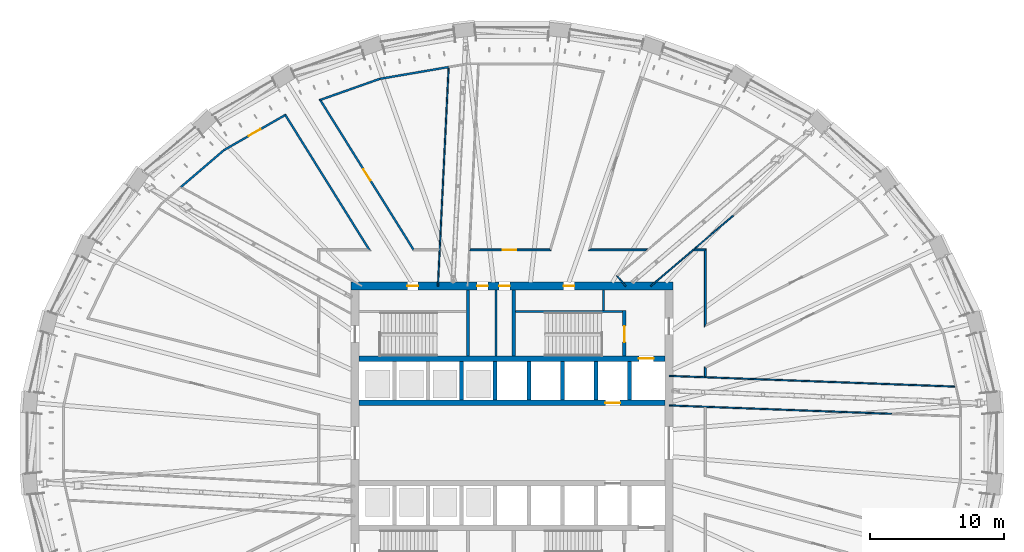
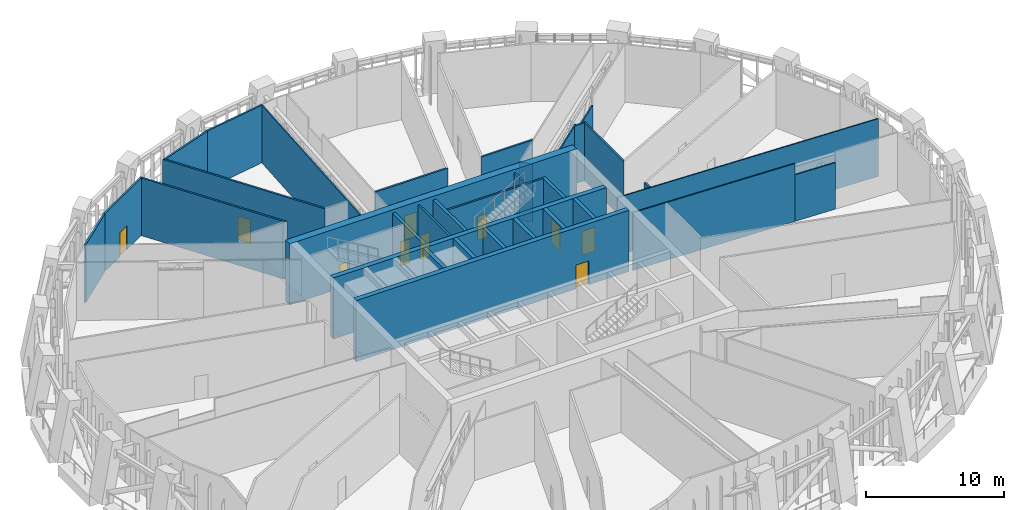
# One storey, part 10 of 22: 33 walls, 10 doors, 10 openings.
"""IFC4 building model written with IfcOpenShell, lengths in metres."""

from ifc_helpers import new_model, si_unit, direction, frame, frame_2d, origin, place, context, subcontext, project, spatial, polyline, rectangle, outline, extrude, material, layer, layer_set, type_object, element, fill, save


model = new_model("IFC4")

# Units and contexts
model_context = context("Model", 3, precision=1e-05, world=origin(), true_north=direction((0.0, 1.0)))
body_context = subcontext(model_context, "Body", "Model", "MODEL_VIEW")
ifc_project = project(units=[si_unit("LENGTHUNIT", "METRE"), si_unit("AREAUNIT", "SQUARE_METRE"), si_unit("VOLUMEUNIT", "CUBIC_METRE"), si_unit("PLANEANGLEUNIT", "RADIAN"), si_unit("MASSUNIT", "GRAM", prefix="KILO")], contexts=[model_context])

# Site, building, storey
site_placement = place(None, origin())
site = spatial("IfcSite", under=ifc_project, at=site_placement, CompositionType="ELEMENT")
building_placement = place(site_placement, origin())
building = spatial("IfcBuilding", under=site, at=building_placement, Name="Halqa Exchange Tower", CompositionType="ELEMENT")
storey_placement = place(building_placement, frame((0.0, 0.0, 99.10009765625)))
storey = spatial("IfcBuildingStorey", under=building, at=storey_placement, Name="L22", CompositionType="ELEMENT", Elevation=99.10009765625)

# Wall
ifc_material_1 = material(Name="Fire-rated gypsum board")
ifc_layer_1 = layer(ifc_material_1, 0.14990234375)
ifc_layer_set_1 = layer_set([ifc_layer_1], Name="Fire-rated gypsum board")
wall_type_1 = type_object("IfcWallType", Name="Fire partition EI 60 150", PredefinedType="PARTITIONING", material=ifc_layer_set_1)
wall_1_placement = place(storey_placement, frame((-21.45458984375, 21.834716796875, 0.0), z_axis=(0.0, 0.0, 1.0), x_axis=(-0.75941532129, -0.650606155666, 0.0)))
element("IfcWall", 1, at=wall_1_placement, inside=storey, type_object=wall_type_1, Name="L22-PWL-022", PredefinedType="PARTITIONING", context=body_context, shape_type="SweptSolid", body=[
    extrude(outline(polyline([(4.23388671875, 0.074951171875), (2.827392578125, 0.074951171875), (1.4208984375, 0.074951171875), (0.01416015625, 0.074951171875), (0.0, -0.074951171875), (1.411376953125, -0.074951171875), (2.822509765625, -0.074951171875), (4.23388671875, -0.074951171875), (4.23388671875, 0.074951171875)])), origin(), (0.0, 0.0, 1.0), 5.099853515625),
])

# Wall, opening, door
wall_2_placement = place(storey_placement, frame((-21.466064453125, 21.826416015625, 0.0), z_axis=(0.0, 0.0, 1.0), x_axis=(0.867517293989, 0.49740702109, 0.0)))
wall_2 = element("IfcWall", 2, at=wall_2_placement, inside=storey, type_object=wall_type_1, Name="L22-PWL-023", PredefinedType="PARTITIONING", context=body_context, shape_type="SweptSolid", body=[
    extrude(outline(polyline([(0.01416015625, -0.074951171875), (1.74365234375, -0.074951171875), (3.47314453125, -0.074951171875), (5.20263671875, -0.074951171875), (5.34716796875, 0.074951171875), (5.34716796875, 0.074951171875), (3.564697265625, 0.074951171875), (1.782470703125, 0.074951171875), (0.0, 0.074951171875), (0.0, 0.074951171875), (0.01416015625, -0.074951171875)])), origin(), (0.0, 0.0, 1.0), 5.099853515625),
])
opening_1_placement = place(wall_2_placement, frame((2.134033203125, 0.0, 0.0)))
opening_1 = element("IfcOpeningElement", 3, at=opening_1_placement, cuts=wall_2, Name="Opening L22-14", PredefinedType="OPENING", context=body_context, shape_type="SweptSolid", body=[
    extrude(rectangle(XDim=1.0, YDim=2.10009765625, at=frame_2d((0.5, 1.050048828125))), frame((0.0, 0.0869140625, 0.0), z_axis=(0.0, -1.0, 0.0), x_axis=(1.0, 0.0, 0.0)), (0.0, 0.0, 1.0), 0.173828125),
])
ifc_material_2 = material(Name="Steel fire door leaf", Category="steel")
door_type_1 = type_object("IfcDoorType", Name="Fire door FD30S 1000 x 2100", OperationType="SINGLE_SWING_LEFT", PredefinedType="DOOR", material=ifc_material_2)
door_1_placement = place(opening_1_placement, frame((1.0, 0.0, 0.0), z_axis=(0.0, 0.0, 1.0), x_axis=(-1.0, 0.0, 0.0)))
door_1 = element("IfcDoor", 4, at=door_1_placement, inside=storey, type_object=door_type_1, Name="L22-IDR-014", OperationType="SINGLE_SWING_RIGHT", OverallHeight=2.10009765625, OverallWidth=1.0, PredefinedType="DOOR", context=body_context, shape_type="SweptSolid", body=[
    extrude(rectangle(XDim=1.0, YDim=2.10009765625, at=frame_2d((0.5, 1.050048828125))), frame((0.0, 0.02490234375, 0.0), z_axis=(0.0, -1.0, 0.0), x_axis=(1.0, 0.0, 0.0)), (0.0, 0.0, 1.0), 0.050048828125),
])
fill(opening_1, door_1)

# Wall
wall_3_placement = place(storey_placement, frame((-16.92822265625, 24.511474609375, 0.0), z_axis=(0.0, 0.0, 1.0), x_axis=(0.528705028345, -0.848805627339, 0.0)))
element("IfcWall", 5, at=wall_3_placement, inside=storey, type_object=wall_type_1, Name="L22-PWL-026", PredefinedType="PARTITIONING", context=body_context, shape_type="SweptSolid", body=[
    extrude(outline(polyline([(0.14453125, -0.074951171875), (2.08349609375, -0.074951171875), (4.022216796875, -0.074951171875), (5.961181640625, -0.074951171875), (7.89990234375, -0.074951171875), (9.8388671875, -0.074951171875), (11.777587890625, -0.074951171875), (12.047607421875, 0.074951171875), (10.326416015625, 0.074951171875), (8.60546875, 0.074951171875), (6.88427734375, 0.074951171875), (5.163330078125, 0.074951171875), (3.442138671875, 0.074951171875), (1.72119140625, 0.074951171875), (0.0, 0.074951171875), (0.14453125, -0.074951171875)])), origin(), (0.0, 0.0, 1.0), 5.099853515625),
])

# Wall, opening, door
wall_4_placement = place(storey_placement, frame((-14.33935546875, 25.649169921875, 0.0), z_axis=(0.0, 0.0, 1.0), x_axis=(0.528834806377, -0.848724777277, 0.0)))
wall_4 = element("IfcWall", 6, at=wall_4_placement, inside=storey, type_object=wall_type_1, Name="L22-PWL-035", PredefinedType="PARTITIONING", context=body_context, shape_type="SweptSolid", body=[
    extrude(outline(polyline([(13.295654296875, -0.074951171875), (13.295654296875, -0.074462890625), (13.212646484375, 0.074951171875), (11.351806640625, 0.074951171875), (9.490966796875, 0.074951171875), (7.630126953125, 0.074951171875), (5.769287109375, 0.074951171875), (3.908203125, 0.074951171875), (2.04736328125, 0.074951171875), (0.1865234375, 0.074951171875), (0.0, -0.074951171875), (0.0, -0.074951171875), (1.8994140625, -0.074951171875), (3.798828125, -0.074951171875), (5.6982421875, -0.074951171875), (7.597412109375, -0.074951171875), (9.496826171875, -0.074951171875), (11.396240234375, -0.074951171875), (13.295654296875, -0.074951171875)])), origin(), (0.0, 0.0, 1.0), 5.099853515625),
])
opening_2_placement = place(wall_4_placement, frame((6.173828125, 0.0, 0.0)))
opening_2 = element("IfcOpeningElement", 7, at=opening_2_placement, cuts=wall_4, Name="Opening L22-13", PredefinedType="OPENING", context=body_context, shape_type="SweptSolid", body=[
    extrude(rectangle(XDim=1.0, YDim=2.10009765625, at=frame_2d((0.5, 1.050048828125))), frame((0.0, 0.0869140625, 0.0), z_axis=(0.0, -1.0, 0.0), x_axis=(1.0, 0.0, 0.0)), (0.0, 0.0, 1.0), 0.173828125),
])
door_2_placement = place(opening_2_placement, origin())
door_2 = element("IfcDoor", 8, at=door_2_placement, inside=storey, type_object=door_type_1, Name="L22-IDR-013", OperationType="SINGLE_SWING_LEFT", OverallHeight=2.10009765625, OverallWidth=1.0, PredefinedType="DOOR", context=body_context, shape_type="SweptSolid", body=[
    extrude(rectangle(XDim=1.0, YDim=2.10009765625, at=frame_2d((0.5, 1.050048828125))), frame((0.0, 0.02490234375, 0.0), z_axis=(0.0, -1.0, 0.0), x_axis=(1.0, 0.0, 0.0)), (0.0, 0.0, 1.0), 0.050048828125),
])
fill(opening_2, door_2)

# Walls
wall_5_placement = place(storey_placement, frame((-9.843994140625, 27.14208984375, 0.0), z_axis=(0.0, 0.0, 1.0), x_axis=(-0.942790533209, -0.333385678293, 0.0)))
element("IfcWall", 9, at=wall_5_placement, inside=storey, type_object=wall_type_1, Name="L22-PWL-037", PredefinedType="PARTITIONING", context=body_context, shape_type="SweptSolid", body=[
    extrude(outline(polyline([(0.0, -0.074951171875), (1.60302734375, -0.074951171875), (3.2060546875, -0.074951171875), (4.80908203125, -0.074951171875), (4.622314453125, 0.074951171875), (3.0859375, 0.074951171875), (1.54931640625, 0.074951171875), (0.0126953125, 0.074951171875), (0.0, -0.07470703125), (0.0, -0.074951171875)])), origin(), (0.0, 0.0, 1.0), 5.099853515625),
])
wall_6_placement = place(storey_placement, frame((-4.719970703125, 28.02001953125, 0.0), z_axis=(0.0, 0.0, 1.0), x_axis=(-0.985602854967, -0.169076941895, 0.0)))
element("IfcWall", 10, at=wall_6_placement, inside=storey, type_object=wall_type_1, Name="L22-PWL-042", PredefinedType="PARTITIONING", context=body_context, shape_type="SweptSolid", body=[
    extrude(outline(polyline([(5.211181640625, -0.074951171875), (5.211181640625, -0.072998046875), (5.198486328125, 0.074951171875), (3.4658203125, 0.074951171875), (1.73291015625, 0.074951171875), (0.0, 0.074951171875), (0.0, -0.074951171875), (1.737060546875, -0.074951171875), (3.47412109375, -0.074951171875), (5.211181640625, -0.074951171875)])), origin(), (0.0, 0.0, 1.0), 5.099853515625),
])

# Wall, opening, door
wall_7_placement = place(storey_placement, frame((-3.131591796875, 14.39990234375, 0.0), z_axis=(0.0, 0.0, 1.0), x_axis=(1.0, 0.0, 0.0)))
wall_7 = element("IfcWall", 11, at=wall_7_placement, inside=storey, type_object=wall_type_1, Name="L22-PWL-047", PredefinedType="PARTITIONING", context=body_context, shape_type="SweptSolid", body=[
    extrude(outline(polyline([(0.0, -0.074951171875), (1.50927734375, -0.074951171875), (3.018798828125, -0.074951171875), (4.528076171875, -0.074951171875), (6.03759765625, -0.074951171875), (5.981689453125, 0.0), (5.92578125, 0.074951171875), (3.952880859375, 0.074951171875), (1.980224609375, 0.074951171875), (0.00732421875, 0.074951171875), (0.0, -0.074951171875)])), origin(), (0.0, 0.0, 1.0), 5.099853515625),
])
opening_3_placement = place(wall_7_placement, frame((2.45654296875, 0.0, 0.0)))
opening_3 = element("IfcOpeningElement", 12, at=opening_3_placement, cuts=wall_7, Name="Opening L22-12", PredefinedType="OPENING", context=body_context, shape_type="SweptSolid", body=[
    extrude(rectangle(XDim=1.0, YDim=2.10009765625, at=frame_2d((0.5, 1.050048828125))), frame((0.0, 0.0869140625, 0.0), z_axis=(0.0, -1.0, 0.0), x_axis=(1.0, 0.0, 0.0)), (0.0, 0.0, 1.0), 0.173828125),
])
door_3_placement = place(opening_3_placement, origin())
door_3 = element("IfcDoor", 13, at=door_3_placement, inside=storey, type_object=door_type_1, Name="L22-IDR-012", OperationType="SINGLE_SWING_LEFT", OverallHeight=2.10009765625, OverallWidth=1.0, PredefinedType="DOOR", context=body_context, shape_type="SweptSolid", body=[
    extrude(rectangle(XDim=1.0, YDim=2.10009765625, at=frame_2d((0.5, 1.050048828125))), frame((0.0, 0.02490234375, 0.0), z_axis=(0.0, -1.0, 0.0), x_axis=(1.0, 0.0, 0.0)), (0.0, 0.0, 1.0), 0.050048828125),
])
fill(opening_3, door_3)

# Walls
wall_8_placement = place(storey_placement, frame((5.669189453125, 14.39990234375, 0.0), z_axis=(0.0, 0.0, 1.0), x_axis=(1.0, 0.0, 0.0)))
element("IfcWall", 14, at=wall_8_placement, inside=storey, type_object=wall_type_1, Name="L22-PWL-058", PredefinedType="PARTITIONING", context=body_context, shape_type="SweptSolid", body=[
    extrude(outline(polyline([(0.0, -0.074951171875), (1.426025390625, -0.074951171875), (2.851806640625, -0.074951171875), (4.277587890625, -0.074951171875), (4.452880859375, 0.07470703125), (4.452880859375, 0.074951171875), (3.03564453125, 0.074951171875), (1.618408203125, 0.074951171875), (0.201416015625, 0.074951171875), (0.100830078125, 0.0), (0.0, -0.074951171875)])), origin(), (0.0, 0.0, 1.0), 5.099853515625),
])
wall_9_placement = place(storey_placement, frame((13.488037109375, 14.39990234375, 0.0), z_axis=(0.0, 0.0, 1.0), x_axis=(1.0, 0.0, 0.0)))
element("IfcWall", 15, at=wall_9_placement, inside=storey, type_object=wall_type_1, Name="L22-PWL-075", PredefinedType="PARTITIONING", context=body_context, shape_type="SweptSolid", body=[
    extrude(outline(polyline([(0.0009765625, -0.074951171875), (0.8369140625, -0.074951171875), (0.8369140625, -0.074951171875), (0.98681640625, 0.074951171875), (0.176513671875, 0.074951171875), (0.0009765625, -0.074951171875)])), origin(), (0.0, 0.0, 1.0), 5.099853515625),
])
wall_10_placement = place(storey_placement, frame((14.39990234375, 5.676513671875, 0.0), z_axis=(0.0, 0.0, 1.0), x_axis=(0.0, -1.0, 0.0)))
element("IfcWall", 16, at=wall_10_placement, inside=storey, type_object=wall_type_1, Name="L22-PWL-079", PredefinedType="PARTITIONING", context=body_context, shape_type="SweptSolid", body=[
    extrude(outline(polyline([(0.0, -0.074951171875), (0.71484375, -0.074951171875), (0.719970703125, 0.064697265625), (0.719970703125, 0.074951171875), (0.0927734375, 0.074951171875), (0.046630859375, 0.0), (0.0, -0.074951171875)])), origin(), (0.0, 0.0, 1.0), 5.099853515625),
])
wall_11_placement = place(storey_placement, frame((14.39990234375, 14.47509765625, 0.0), z_axis=(0.0, 0.0, 1.0), x_axis=(0.0, -1.0, 0.0)))
element("IfcWall", 17, at=wall_11_placement, inside=storey, type_object=wall_type_1, Name="L22-PWL-081", PredefinedType="PARTITIONING", context=body_context, shape_type="SweptSolid", body=[
    extrude(outline(polyline([(5.83642578125, -0.074951171875), (5.83642578125, -0.074951171875), (5.593994140625, 0.074951171875), (3.7294921875, 0.074951171875), (1.86474609375, 0.074951171875), (0.000244140625, 0.074951171875), (0.150146484375, -0.074951171875), (2.045654296875, -0.074951171875), (3.94091796875, -0.074951171875), (5.83642578125, -0.074951171875)])), origin(), (0.0, 0.0, 1.0), 5.099853515625),
])
ifc_material_3 = material(Name="Gypsum board")
ifc_layer_2 = layer(ifc_material_3, 0.10009765625)
ifc_layer_set_2 = layer_set([ifc_layer_2], Name="Gypsum board")
wall_type_2 = type_object("IfcWallType", Name="Partition 100 gypsum", PredefinedType="PARTITIONING", material=ifc_layer_set_2)
wall_12_placement = place(storey_placement, frame((-5.52001953125, 11.699951171875, 0.0), z_axis=(0.0, 0.0, 1.0), x_axis=(0.048965653086, 0.998800462964, 0.0)))
element("IfcWall", 18, at=wall_12_placement, inside=storey, type_object=wall_type_2, Name="L22-PWL-041", PredefinedType="PARTITIONING", context=body_context, shape_type="SweptSolid", body=[
    extrude(outline(polyline([(16.299072265625, -0.050048828125), (16.299072265625, -0.0478515625), (16.290771484375, -0.0107421875), (16.299072265625, -0.009033203125), (16.299072265625, -0.009033203125), (16.266357421875, -0.016357421875), (16.251708984375, 0.050048828125), (14.325439453125, 0.050048828125), (12.39892578125, 0.050048828125), (10.47265625, 0.050048828125), (8.54638671875, 0.050048828125), (6.6201171875, 0.050048828125), (4.69384765625, 0.050048828125), (2.767333984375, 0.050048828125), (2.6259765625, 0.043212890625), (2.625732421875, 0.050048828125), (1.31298828125, 0.050048828125), (0.0, 0.050048828125), (0.0, -0.050048828125), (1.81103515625, -0.050048828125), (3.6220703125, -0.050048828125), (5.43310546875, -0.050048828125), (7.244140625, -0.050048828125), (9.054931640625, -0.050048828125), (10.865966796875, -0.050048828125), (12.677001953125, -0.050048828125), (14.488037109375, -0.050048828125), (16.299072265625, -0.050048828125)])), origin(), (0.0, 0.0, 1.0), 5.099853515625),
])
wall_13_placement = place(storey_placement, frame((7.797607421875, 12.488037109375, 0.0), z_axis=(0.0, 0.0, 1.0), x_axis=(0.649042899837, -0.760751808523, 0.0)))
element("IfcWall", 19, at=wall_13_placement, inside=storey, type_object=wall_type_2, Name="L22-PWL-061", PredefinedType="PARTITIONING", context=body_context, shape_type="SweptSolid", body=[
    extrude(outline(polyline([(1.035888671875, 0.050048828125), (0.10009765625, 0.050048828125), (0.0, -0.050048828125), (1.035888671875, -0.050048828125), (1.035888671875, 0.050048828125)])), origin(), (0.0, 0.0, 1.0), 5.099853515625),
])
wall_14_placement = place(storey_placement, frame((10.340087890625, 11.699951171875, 0.0), z_axis=(0.0, 0.0, 1.0), x_axis=(0.760272395003, 0.649604406848, 0.0)))
element("IfcWall", 20, at=wall_14_placement, inside=storey, type_object=wall_type_2, Name="L22-PWL-070", PredefinedType="PARTITIONING", context=body_context, shape_type="SweptSolid", body=[
    extrude(rectangle(XDim=4.39013671875, YDim=0.10009765625, at=frame_2d((2.195068359375, 0.0))), origin(), (0.0, 0.0, 1.0), 5.099853515625),
])
wall_15_placement = place(storey_placement, frame((11.699951171875, 2.81005859375, 0.0), z_axis=(0.0, 0.0, 1.0), x_axis=(0.999287125547, -0.037752360414, 0.0)))
element("IfcWall", 21, at=wall_15_placement, inside=storey, type_object=wall_type_2, Name="L22-PWL-072", PredefinedType="PARTITIONING", context=body_context, shape_type="SweptSolid", body=[
    extrude(outline(polyline([(0.0, 0.050048828125), (0.0, -0.050048828125), (1.894775390625, -0.050048828125), (3.78955078125, -0.050048828125), (5.684326171875, -0.050048828125), (7.579345703125, -0.050048828125), (9.47412109375, -0.050048828125), (11.368896484375, -0.050048828125), (13.263671875, -0.050048828125), (13.263671875, 0.050048828125), (11.368896484375, 0.050048828125), (9.47412109375, 0.050048828125), (7.579345703125, 0.050048828125), (5.684326171875, 0.050048828125), (3.78955078125, 0.050048828125), (1.894775390625, 0.050048828125), (0.0, 0.050048828125)])), origin(), (0.0, 0.0, 1.0), 5.099853515625),
])
wall_16_placement = place(storey_placement, frame((11.699951171875, 5.010009765625, 0.0), z_axis=(0.0, 0.0, 1.0), x_axis=(0.999299980001, -0.037410559601, 0.0)))
element("IfcWall", 22, at=wall_16_placement, inside=storey, type_object=wall_type_2, Name="L22-PWL-073", PredefinedType="PARTITIONING", context=body_context, shape_type="SweptSolid", body=[
    extrude(outline(polyline([(21.346435546875, -0.050048828125), (21.346435546875, -0.048828125), (21.336669921875, -0.01318359375), (21.3125, -0.019775390625), (21.293701171875, 0.050048828125), (19.35791015625, 0.050048828125), (17.422119140625, 0.050048828125), (15.486328125, 0.050048828125), (13.550537109375, 0.050048828125), (11.61474609375, 0.050048828125), (9.678955078125, 0.050048828125), (7.7431640625, 0.050048828125), (5.807373046875, 0.050048828125), (3.87158203125, 0.050048828125), (1.935791015625, 0.050048828125), (0.0, 0.050048828125), (0.0, -0.050048828125), (1.940673828125, -0.050048828125), (3.881103515625, -0.050048828125), (5.82177734375, -0.050048828125), (7.762451171875, -0.050048828125), (9.702880859375, -0.050048828125), (11.6435546875, -0.050048828125), (13.583984375, -0.050048828125), (15.524658203125, -0.050048828125), (17.46533203125, -0.050048828125), (19.40576171875, -0.050048828125), (21.346435546875, -0.050048828125)])), origin(), (0.0, 0.0, 1.0), 5.099853515625),
])
wall_17_placement = place(storey_placement, frame((13.677734375, 14.5517578125, 0.0), z_axis=(0.0, 0.0, 1.0), x_axis=(0.760241551137, 0.649640503605, 0.0)))
element("IfcWall", 23, at=wall_17_placement, inside=storey, type_object=wall_type_2, Name="L22-PWL-108", PredefinedType="PARTITIONING", context=body_context, shape_type="SweptSolid", body=[
    extrude(rectangle(XDim=3.6884765625, YDim=0.10009765625, at=frame_2d((1.84423828125, 0.0))), origin(), (0.0, 0.0, 1.0), 4.346923828125),
])
wall_18_placement = place(storey_placement, frame((24.9541015625, 2.309326171875, 0.0), z_axis=(0.0, 0.0, 1.0), x_axis=(0.999288814616, -0.037707625002, 0.0)))
element("IfcWall", 24, at=wall_18_placement, inside=storey, type_object=wall_type_2, Name="L22-PWL-112", PredefinedType="PARTITIONING", context=body_context, shape_type="SweptSolid", body=[
    extrude(outline(polyline([(0.0, 0.050048828125), (0.0, -0.050048828125), (1.66064453125, -0.050048828125), (3.321533203125, -0.050048828125), (3.321533203125, 0.050048828125), (1.66064453125, 0.050048828125), (0.0, 0.050048828125)])), origin(), (0.0, 0.0, 1.0), 4.10986328125),
])
ifc_layer_3 = layer(ifc_material_3, 0.14990234375)
ifc_layer_set_3 = layer_set([ifc_layer_3], Name="Gypsum board")
wall_type_3 = type_object("IfcWallType", Name="Penthouse riser wall 150 gypsum", PredefinedType="PARTITIONING", material=ifc_layer_set_3)
wall_19_placement = place(storey_placement, frame((-1.199951171875, 6.5, 0.0), z_axis=(0.0, 0.0, 1.0), x_axis=(0.0, 1.0, 0.0)))
element("IfcWall", 25, at=wall_19_placement, inside=storey, type_object=wall_type_3, Name="Partition W1.200 N", PredefinedType="PARTITIONING", context=body_context, shape_type="SweptSolid", body=[
    extrude(rectangle(XDim=4.89990234375, YDim=0.14990234375, at=frame_2d((2.449951171875, 0.0))), origin(), (0.0, 0.0, 1.0), 5.099853515625),
])
wall_20_placement = place(storey_placement, frame((6.824951171875, 9.89990234375, 0.0), z_axis=(0.0, 0.0, 1.0), x_axis=(0.0, 1.0, 0.0)))
element("IfcWall", 26, at=wall_20_placement, inside=storey, type_object=wall_type_3, Name="Firefighting lobby west wall N", PredefinedType="PARTITIONING", context=body_context, shape_type="SweptSolid", body=[
    extrude(rectangle(XDim=1.5, YDim=0.14990234375, at=frame_2d((0.75, 0.0))), origin(), (0.0, 0.0, 1.0), 5.099853515625),
])
ifc_material_4 = material(Name="Concrete C60/75", Category="concrete")
ifc_layer_4 = layer(ifc_material_4, 0.300048828125)
ifc_layer_set_4 = layer_set([ifc_layer_4], Name="Concrete C60/75")
wall_type_4 = type_object("IfcWallType", Name="RC core wall 300", PredefinedType="SHEAR", material=ifc_layer_set_4)
for number, where, z_axis, x_axis, name in (
    (27, (-3.75, 3.199951171875, 0.0), (0.0, 0.0, 1.0), (0.0, 1.0, 0.0), "Shaft divider N3"),
    (28, (-1.25, 3.199951171875, 0.0), (0.0, 0.0, 1.0), (0.0, 1.0, 0.0), "Shaft divider N4"),
    (29, (1.25, 3.199951171875, 0.0), (0.0, 0.0, 1.0), (0.0, 1.0, 0.0), "Shaft divider N5"),
    (30, (3.75, 3.199951171875, 0.0), (0.0, 0.0, 1.0), (0.0, 1.0, 0.0), "Shaft divider N6"),
    (31, (6.25, 3.199951171875, 0.0), (0.0, 0.0, 1.0), (0.0, 1.0, 0.0), "Shaft divider N7"),
    (32, (8.75, 3.199951171875, 0.0), (0.0, 0.0, 1.0), (0.0, 1.0, 0.0), "Shaft divider N8"),
):
    element("IfcWall", number, at=place(storey_placement, frame(where, z_axis=z_axis, x_axis=x_axis)), inside=storey, type_object=wall_type_4, Name=name, PredefinedType="SHEAR", context=body_context, shape_type="SweptSolid", body=[
        extrude(rectangle(XDim=2.900146484375, YDim=0.300048828125, at=frame_2d((1.4501953125, 0.0))), origin(), (0.0, 0.0, 1.0), 5.39990234375),
    ])

# Wall, opening, door
ifc_material_5 = material(Name="Concrete C80/95", Category="concrete")
ifc_layer_5 = layer(ifc_material_5, 0.39990234375)
ifc_layer_set_5 = layer_set([ifc_layer_5], Name="Concrete C80/95")
wall_type_5 = type_object("IfcWallType", Name="RC core wall 400 C80/95", PredefinedType="SHEAR", material=ifc_layer_set_5)
wall_21_placement = place(storey_placement, frame((-11.39990234375, 3.0, 0.0), z_axis=(0.0, 0.0, 1.0), x_axis=(1.0, 0.0, 0.0)))
wall_21 = element("IfcWall", 33, at=wall_21_placement, inside=storey, type_object=wall_type_5, Name="Lift row front wall N", PredefinedType="SHEAR", context=body_context, shape_type="SweptSolid", body=[
    extrude(rectangle(XDim=22.7998046875, YDim=0.39990234375, at=frame_2d((11.39990234375, 0.0))), origin(), (0.0, 0.0, 1.0), 5.39990234375),
])
opening_4_placement = place(wall_21_placement, frame((18.35009765625, 0.0, 0.0)))
opening_4 = element("IfcOpeningElement", 34, at=opening_4_placement, cuts=wall_21, Name="Opening LD-SV1-L22", PredefinedType="OPENING", context=body_context, shape_type="SweptSolid", body=[
    extrude(rectangle(XDim=1.10009765625, YDim=2.10009765625, at=frame_2d((0.550048828125, 1.050048828125))), frame((0.0, 0.2119140625, 0.0), z_axis=(0.0, -1.0, 0.0), x_axis=(1.0, 0.0, 0.0)), (0.0, 0.0, 1.0), 0.423828125),
])
ifc_material_6 = material(Name="Stainless steel", Category="steel")
door_type_2 = type_object("IfcDoorType", Name="Lift landing door 1100 x 2100", OperationType="SLIDING_TO_LEFT", PredefinedType="DOOR", material=ifc_material_6)
door_4_placement = place(opening_4_placement, origin())
door_4 = element("IfcDoor", 35, at=door_4_placement, inside=storey, type_object=door_type_2, Name="Lift landing door SV1", OperationType="SLIDING_TO_LEFT", OverallHeight=2.10009765625, OverallWidth=1.10009765625, PredefinedType="DOOR", context=body_context, shape_type="SweptSolid", body=[
    extrude(rectangle(XDim=1.10009765625, YDim=2.10009765625, at=frame_2d((0.550048828125, 1.050048828125))), frame((0.0, 0.02490234375, 0.0), z_axis=(0.0, -1.0, 0.0), x_axis=(1.0, 0.0, 0.0)), (0.0, 0.0, 1.0), 0.050048828125),
])
fill(opening_4, door_4)

wall_22_placement = place(storey_placement, frame((-11.39990234375, 6.300048828125, 0.0), z_axis=(0.0, 0.0, 1.0), x_axis=(1.0, 0.0, 0.0)))
wall_22 = element("IfcWall", 36, at=wall_22_placement, inside=storey, type_object=wall_type_5, Name="Lift row back wall N", PredefinedType="SHEAR", context=body_context, shape_type="SweptSolid", body=[
    extrude(rectangle(XDim=22.7998046875, YDim=0.39990234375, at=frame_2d((11.39990234375, 0.0))), origin(), (0.0, 0.0, 1.0), 5.39990234375),
])
opening_5_placement = place(wall_22_placement, frame((20.85009765625, 0.0, 0.0)))
opening_5 = element("IfcOpeningElement", 37, at=opening_5_placement, cuts=wall_22, Name="Opening LD-FF1-L22", PredefinedType="OPENING", context=body_context, shape_type="SweptSolid", body=[
    extrude(rectangle(XDim=1.10009765625, YDim=2.10009765625, at=frame_2d((0.550048828125, 1.050048828125))), frame((0.0, 0.2119140625, 0.0), z_axis=(0.0, -1.0, 0.0), x_axis=(1.0, 0.0, 0.0)), (0.0, 0.0, 1.0), 0.423828125),
])
door_5_placement = place(opening_5_placement, origin())
door_5 = element("IfcDoor", 38, at=door_5_placement, inside=storey, type_object=door_type_2, Name="Lift landing door FF1", OperationType="SLIDING_TO_LEFT", OverallHeight=2.10009765625, OverallWidth=1.10009765625, PredefinedType="DOOR", context=body_context, shape_type="SweptSolid", body=[
    extrude(rectangle(XDim=1.10009765625, YDim=2.10009765625, at=frame_2d((0.550048828125, 1.050048828125))), frame((0.0, 0.02490234375, 0.0), z_axis=(0.0, -1.0, 0.0), x_axis=(1.0, 0.0, 0.0)), (0.0, 0.0, 1.0), 0.050048828125),
])
fill(opening_5, door_5)

# Wall, openings, doors
ifc_layer_6 = layer(ifc_material_5, 0.60009765625)
ifc_layer_set_6 = layer_set([ifc_layer_6], Name="Concrete C80/95")
wall_type_6 = type_object("IfcWallType", Name="RC core wall 600 C80/95", PredefinedType="SHEAR", material=ifc_layer_set_6)
wall_23_placement = place(storey_placement, frame((-12.0, 11.699951171875, 0.0), z_axis=(0.0, 0.0, 1.0), x_axis=(1.0, 0.0, 0.0)))
wall_23 = element("IfcWall", 39, at=wall_23_placement, inside=storey, type_object=wall_type_6, Name="Core wall north", PredefinedType="SHEAR", context=body_context, shape_type="SweptSolid", body=[
    extrude(rectangle(XDim=24.0, YDim=0.60009765625, at=frame_2d((12.0, 0.0))), origin(), (0.0, 0.0, 1.0), 5.39990234375),
])
opening_6_placement = place(wall_23_placement, frame((9.39990234375, 0.0, 0.0)))
opening_6 = element("IfcOpeningElement", 40, at=opening_6_placement, cuts=wall_23, Name="Opening L22-C13", PredefinedType="OPENING", context=body_context, shape_type="SweptSolid", body=[
    extrude(rectangle(XDim=0.800048828125, YDim=2.10009765625, at=frame_2d((0.39990234375, 1.050048828125))), frame((0.0, 0.31201171875, 0.0), z_axis=(0.0, -1.0, 0.0), x_axis=(1.0, 0.0, 0.0)), (0.0, 0.0, 1.0), 0.6240234375),
])
opening_7_placement = place(wall_23_placement, frame((11.050048828125, 0.0, 0.0)))
opening_7 = element("IfcOpeningElement", 41, at=opening_7_placement, cuts=wall_23, Name="Opening L22-C14", PredefinedType="OPENING", context=body_context, shape_type="SweptSolid", body=[
    extrude(rectangle(XDim=0.800048828125, YDim=2.10009765625, at=frame_2d((0.39990234375, 1.050048828125))), frame((0.0, 0.31201171875, 0.0), z_axis=(0.0, -1.0, 0.0), x_axis=(1.0, 0.0, 0.0)), (0.0, 0.0, 1.0), 0.6240234375),
])
opening_8_placement = place(wall_23_placement, frame((4.199951171875, 0.0, 0.0)))
opening_8 = element("IfcOpeningElement", 42, at=opening_8_placement, cuts=wall_23, Name="Opening L22-C15", PredefinedType="OPENING", context=body_context, shape_type="SweptSolid", body=[
    extrude(rectangle(XDim=0.800048828125, YDim=2.10009765625, at=frame_2d((0.39990234375, 1.050048828125))), frame((0.0, 0.31201171875, 0.0), z_axis=(0.0, -1.0, 0.0), x_axis=(1.0, 0.0, 0.0)), (0.0, 0.0, 1.0), 0.6240234375),
])
opening_9_placement = place(wall_23_placement, frame((15.85009765625, 0.0, 0.0)))
opening_9 = element("IfcOpeningElement", 43, at=opening_9_placement, cuts=wall_23, Name="Opening L22-C16", PredefinedType="OPENING", context=body_context, shape_type="SweptSolid", body=[
    extrude(rectangle(XDim=0.800048828125, YDim=2.10009765625, at=frame_2d((0.39990234375, 1.050048828125))), frame((0.0, 0.31201171875, 0.0), z_axis=(0.0, -1.0, 0.0), x_axis=(1.0, 0.0, 0.0)), (0.0, 0.0, 1.0), 0.6240234375),
])
door_type_3 = type_object("IfcDoorType", Name="Riser door FD60 800 x 2100", OperationType="SINGLE_SWING_LEFT", PredefinedType="DOOR", material=ifc_material_2)
door_6_placement = place(opening_6_placement, frame((0.800048828125, 0.0, 0.0), z_axis=(0.0, 0.0, 1.0), x_axis=(-1.0, 0.0, 0.0)))
door_6 = element("IfcDoor", 44, at=door_6_placement, inside=storey, type_object=door_type_3, Name="Core room door", OperationType="SINGLE_SWING_RIGHT", OverallHeight=2.10009765625, OverallWidth=0.800048828125, PredefinedType="DOOR", context=body_context, shape_type="SweptSolid", body=[
    extrude(rectangle(XDim=0.800048828125, YDim=2.10009765625, at=frame_2d((0.39990234375, 1.050048828125))), frame((0.0, 0.02490234375, 0.0), z_axis=(0.0, -1.0, 0.0), x_axis=(1.0, 0.0, 0.0)), (0.0, 0.0, 1.0), 0.050048828125),
])
fill(opening_6, door_6)
door_7_placement = place(opening_7_placement, frame((0.800048828125, 0.0, 0.0), z_axis=(0.0, 0.0, 1.0), x_axis=(-1.0, 0.0, 0.0)))
door_7 = element("IfcDoor", 45, at=door_7_placement, inside=storey, type_object=door_type_3, Name="Core room door", OperationType="SINGLE_SWING_LEFT", OverallHeight=2.10009765625, OverallWidth=0.800048828125, PredefinedType="DOOR", context=body_context, shape_type="SweptSolid", body=[
    extrude(rectangle(XDim=0.800048828125, YDim=2.10009765625, at=frame_2d((0.39990234375, 1.050048828125))), frame((0.0, 0.02490234375, 0.0), z_axis=(0.0, -1.0, 0.0), x_axis=(1.0, 0.0, 0.0)), (0.0, 0.0, 1.0), 0.050048828125),
])
fill(opening_7, door_7)
door_8_placement = place(opening_8_placement, frame((0.800048828125, 0.0, 0.0), z_axis=(0.0, 0.0, 1.0), x_axis=(-1.0, 0.0, 0.0)))
door_8 = element("IfcDoor", 46, at=door_8_placement, inside=storey, type_object=door_type_3, Name="Core room door", OperationType="SINGLE_SWING_LEFT", OverallHeight=2.10009765625, OverallWidth=0.800048828125, PredefinedType="DOOR", context=body_context, shape_type="SweptSolid", body=[
    extrude(rectangle(XDim=0.800048828125, YDim=2.10009765625, at=frame_2d((0.39990234375, 1.050048828125))), frame((0.0, 0.02490234375, 0.0), z_axis=(0.0, -1.0, 0.0), x_axis=(1.0, 0.0, 0.0)), (0.0, 0.0, 1.0), 0.050048828125),
])
fill(opening_8, door_8)
door_9_placement = place(opening_9_placement, frame((0.800048828125, 0.0, 0.0), z_axis=(0.0, 0.0, 1.0), x_axis=(-1.0, 0.0, 0.0)))
door_9 = element("IfcDoor", 47, at=door_9_placement, inside=storey, type_object=door_type_3, Name="Core room door", OperationType="SINGLE_SWING_RIGHT", OverallHeight=2.10009765625, OverallWidth=0.800048828125, PredefinedType="DOOR", context=body_context, shape_type="SweptSolid", body=[
    extrude(rectangle(XDim=0.800048828125, YDim=2.10009765625, at=frame_2d((0.39990234375, 1.050048828125))), frame((0.0, 0.02490234375, 0.0), z_axis=(0.0, -1.0, 0.0), x_axis=(1.0, 0.0, 0.0)), (0.0, 0.0, 1.0), 0.050048828125),
])
fill(opening_9, door_9)

# Walls
ifc_material_7 = material(Name="Concrete C30/37", Category="concrete")
ifc_layer_7 = layer(ifc_material_7, 0.14990234375)
ifc_layer_set_7 = layer_set([ifc_layer_7], Name="Concrete C30/37")
wall_type_7 = type_object("IfcWallType", Name="RC stair wall 150 C30/37", PredefinedType="SHEAR", material=ifc_layer_set_7)
wall_24_placement = place(storey_placement, frame((0.25, 9.824951171875, 0.0), z_axis=(0.0, 0.0, 1.0), x_axis=(1.0, 0.0, 0.0)))
element("IfcWall", 48, at=wall_24_placement, inside=storey, type_object=wall_type_7, Name="Stair ST2 north wall N", PredefinedType="SHEAR", context=body_context, shape_type="SweptSolid", body=[
    extrude(rectangle(XDim=8.0, YDim=0.14990234375, at=frame_2d((4.0, 0.0))), origin(), (0.0, 0.0, 1.0), 5.099853515625),
])
ifc_layer_8 = layer(ifc_material_7, 0.25)
ifc_layer_set_8 = layer_set([ifc_layer_8], Name="Concrete C30/37")
wall_type_8 = type_object("IfcWallType", Name="RC stair wall 250 C30/37", PredefinedType="SHEAR", material=ifc_layer_set_8)
for number, where, z_axis, x_axis, name in (
    (49, (-3.27490234375, 6.5, 0.0), (0.0, 0.0, 1.0), (0.0, 1.0, 0.0), "Stair ST1 east wall N"),
    (50, (0.125, 6.5, 0.0), (0.0, 0.0, 1.0), (0.0, 1.0, 0.0), "Stair ST2 west wall N"),
):
    element("IfcWall", number, at=place(storey_placement, frame(where, z_axis=z_axis, x_axis=x_axis)), inside=storey, type_object=wall_type_8, Name=name, PredefinedType="SHEAR", context=body_context, shape_type="SweptSolid", body=[
        extrude(rectangle(XDim=4.89990234375, YDim=0.25, at=frame_2d((2.449951171875, 0.0))), origin(), (0.0, 0.0, 1.0), 5.099853515625),
    ])

# Wall, opening, door
wall_25_placement = place(storey_placement, frame((8.375, 6.5, 0.0), z_axis=(0.0, 0.0, 1.0), x_axis=(0.0, 1.0, 0.0)))
wall_25 = element("IfcWall", 51, at=wall_25_placement, inside=storey, type_object=wall_type_8, Name="Stair ST2 east wall N", PredefinedType="SHEAR", context=body_context, shape_type="SweptSolid", body=[
    extrude(rectangle(XDim=3.39990234375, YDim=0.25, at=frame_2d((1.699951171875, 0.0))), origin(), (0.0, 0.0, 1.0), 5.099853515625),
])
opening_10_placement = place(wall_25_placement, frame((1.02490234375, 0.0, 0.0)))
opening_10 = element("IfcOpeningElement", 52, at=opening_10_placement, cuts=wall_25, Name="Opening L22-C08", PredefinedType="OPENING", context=body_context, shape_type="SweptSolid", body=[
    extrude(rectangle(XDim=1.199951171875, YDim=2.10009765625, at=frame_2d((0.60009765625, 1.050048828125))), frame((0.0, 0.136962890625, 0.0), z_axis=(0.0, -1.0, 0.0), x_axis=(1.0, 0.0, 0.0)), (0.0, 0.0, 1.0), 0.27392578125),
])
door_type_4 = type_object("IfcDoorType", Name="Stair door FD90 1200 x 2100", OperationType="SINGLE_SWING_LEFT", PredefinedType="DOOR", material=ifc_material_2)
door_10_placement = place(opening_10_placement, origin())
door_10 = element("IfcDoor", 53, at=door_10_placement, inside=storey, type_object=door_type_4, Name="Stair door ST2", OperationType="SINGLE_SWING_RIGHT", OverallHeight=2.10009765625, OverallWidth=1.199951171875, PredefinedType="DOOR", context=body_context, shape_type="SweptSolid", body=[
    extrude(rectangle(XDim=1.199951171875, YDim=2.10009765625, at=frame_2d((0.60009765625, 1.050048828125))), frame((0.0, 0.02490234375, 0.0), z_axis=(0.0, -1.0, 0.0), x_axis=(1.0, 0.0, 0.0)), (0.0, 0.0, 1.0), 0.050048828125),
])
fill(opening_10, door_10)

save(model, "model.ifc")
